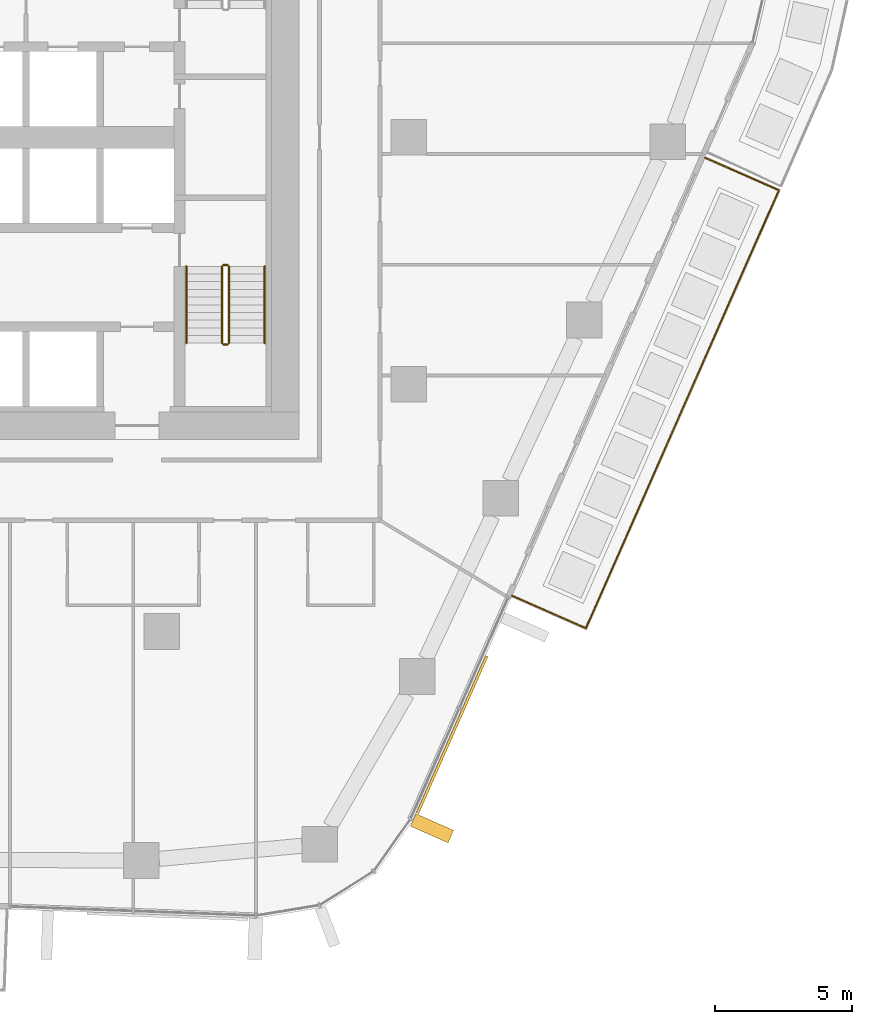
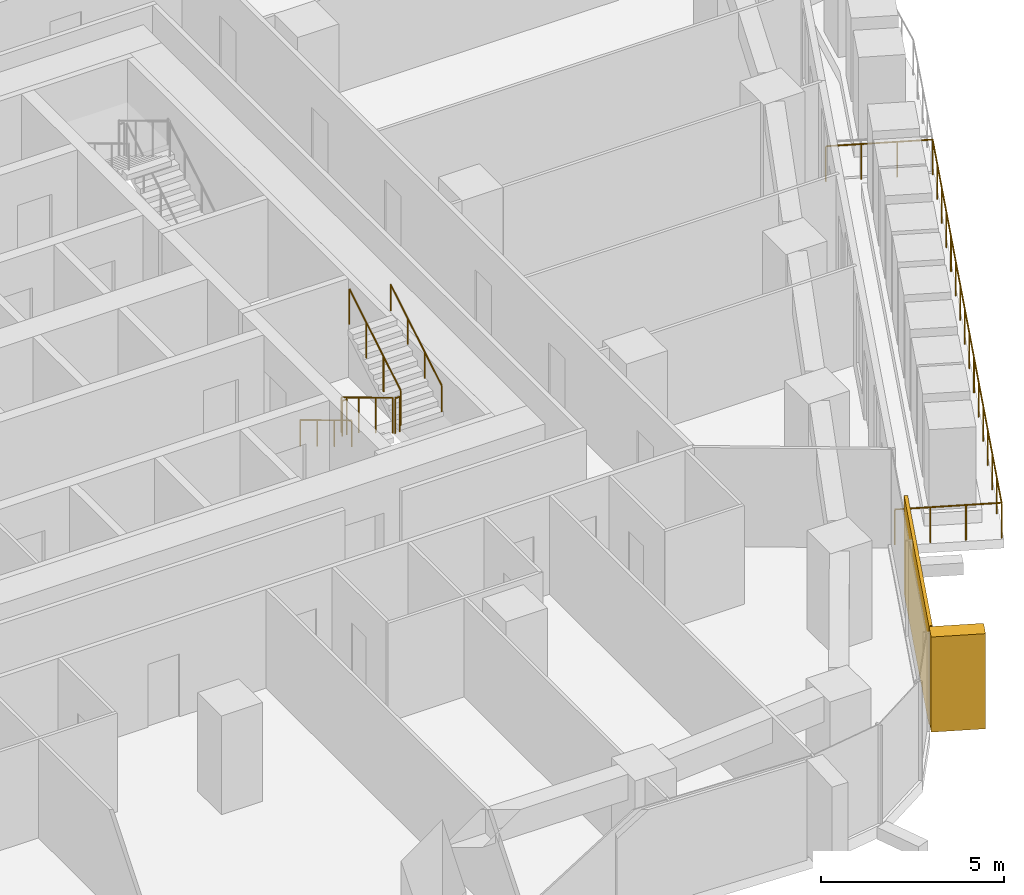
# One storey, part 21 of 24: 7 railings, 2 coverings, 1 element without a shape of its own.
"""IFC4 building model written with IfcOpenShell, lengths in metres."""

import ifcopenshell
import ifcopenshell.guid

model = None  # the IFC model being written
_history = None  # IfcOwnerHistory: only IFC2X3 demands one
_inside = {}  # id of a spatial element -> (the spatial element, [elements in it])
_under = {}  # id of a project, library or spatial element -> (it, [spatial elements below it])
_declared = {}  # id of a project -> (the project, [libraries it declares])
_typed = {}  # id of a type object -> (the type object, [elements of that type])
_made_of = {}  # id of a material, layer set ... -> (it, [elements and type objects made of it])


def new_model(schema):
    """Start an empty IFC model of exactly this schema.

    Asked for "IFC4X3", IfcOpenShell would pick the latest addendum, in which some entities
    have other attributes; the version numbers below select the first issue.
    IFC2X3 requires an IfcOwnerHistory on every rooted entity: one is made here for all.
    """
    global model, _history
    if schema == "IFC4X3":
        model = ifcopenshell.file(schema_version=(4, 3, 0, 0))
    else:
        model = ifcopenshell.file(schema=schema)
    _inside.clear()
    _under.clear()
    _declared.clear()
    _typed.clear()
    _made_of.clear()
    _history = None
    if model.schema == "IFC2X3":
        org = make("IfcOrganization", Name="unknown")
        user = make(
            "IfcPersonAndOrganization",
            ThePerson=make("IfcPerson", FamilyName="unknown"),
            TheOrganization=org,
        )
        app = make(
            "IfcApplication",
            ApplicationDeveloper=org,
            Version="unknown",
            ApplicationFullName="unknown",
            ApplicationIdentifier="unknown",
        )
        _history = make(
            "IfcOwnerHistory",
            OwningUser=user,
            OwningApplication=app,
            ChangeAction="ADDED",
            CreationDate=0,
        )
    return model


def make(cls, **values):
    """One entity of the class cls with the attributes given. An attribute that is None is left unset."""
    return model.create_entity(
        cls, **{name: value for name, value in values.items() if value is not None}
    )


def rooted(cls, **values):
    """An entity with a GlobalId (a new one), such as an element, a storey or a relation."""
    return make(cls, GlobalId=ifcopenshell.guid.new(), OwnerHistory=_history, **values)


def si_unit(unit_type, name, prefix=None):
    """IfcSIUnit, for example si_unit("LENGTHUNIT", "METRE", prefix="MILLI")."""
    return make("IfcSIUnit", UnitType=unit_type, Prefix=prefix, Name=name)


def assignment(units):
    """IfcUnitAssignment: the units of a project."""
    return None if units is None else make("IfcUnitAssignment", Units=units)


def point(xyz):
    """IfcCartesianPoint."""
    return None if xyz is None else make("IfcCartesianPoint", Coordinates=xyz)


def direction(xyz):
    """IfcDirection."""
    return None if xyz is None else make("IfcDirection", DirectionRatios=xyz)


def frame(location, z_axis=None, x_axis=None):
    """IfcAxis2Placement3D, a coordinate frame: its origin and axes. An axis left out is left unset."""
    return make(
        "IfcAxis2Placement3D",
        Location=point(location),
        Axis=direction(z_axis),
        RefDirection=direction(x_axis),
    )


def frame_2d(location, x_axis=None):
    """IfcAxis2Placement2D, a coordinate frame in the plane: its origin and x axis."""
    return make(
        "IfcAxis2Placement2D", Location=point(location), RefDirection=direction(x_axis)
    )


def origin():
    """The frame at (0, 0, 0) with its axes left unset."""
    return frame((0.0, 0.0, 0.0))


def origin_2d():
    """The frame at (0, 0) in the plane with its x axis left unset."""
    return frame_2d((0.0, 0.0))


def place(relative_to, where):
    """IfcLocalPlacement: puts the frame where relative to a parent placement (None: the world)."""
    return make(
        "IfcLocalPlacement", PlacementRelTo=relative_to, RelativePlacement=where
    )


def context(
    kind, dimensions, precision=None, world=None, true_north=None, identifier=None
):
    """IfcGeometricRepresentationContext, for example the 3D "Model" context."""
    return make(
        "IfcGeometricRepresentationContext",
        ContextIdentifier=identifier,
        ContextType=kind,
        CoordinateSpaceDimension=dimensions,
        Precision=precision,
        WorldCoordinateSystem=world,
        TrueNorth=true_north,
    )


def subcontext(parent, identifier, kind, view, scale=None):
    """IfcGeometricRepresentationSubContext, for example "Body" below "Model"."""
    return make(
        "IfcGeometricRepresentationSubContext",
        ContextIdentifier=identifier,
        ContextType=kind,
        ParentContext=parent,
        TargetScale=scale,
        TargetView=view,
    )


def project(units=None, contexts=None):
    """IfcProject with its units and contexts."""
    return rooted(
        "IfcProject",
        Name="project",
        RepresentationContexts=contexts,
        UnitsInContext=assignment(units),
    )


def spatial(cls, under=None, at=None, **own):
    """A site, building, storey or space (cls), placed at a placement, below another one or the project."""
    s = rooted(cls, ObjectPlacement=at, **own)
    if under is not None:
        _under.setdefault(under.id(), (under, []))[1].append(s)
    return s


def profile(cls, at=None, kind="AREA", **sizes):
    """A parametric profile (cls). Its sizes go by their IFC names, for example OverallWidth=200.0."""
    return make(cls, ProfileType=kind, Position=at, **sizes)


def rectangle(**sizes):
    """IfcRectangleProfileDef."""
    return profile("IfcRectangleProfileDef", **sizes)


def circle(**sizes):
    """IfcCircleProfileDef."""
    return profile("IfcCircleProfileDef", **sizes)


def extrude(swept, where, along, depth):
    """IfcExtrudedAreaSolid: the profile swept, set in the frame where, extruded along a direction by depth."""
    return make(
        "IfcExtrudedAreaSolid",
        SweptArea=swept,
        Position=where,
        ExtrudedDirection=direction(along),
        Depth=depth,
    )


def shape(context_of_items, identifier, shape_type, items):
    """IfcShapeRepresentation: the items that make up one representation, for example the "Body"."""
    return make(
        "IfcShapeRepresentation",
        ContextOfItems=context_of_items,
        RepresentationIdentifier=identifier,
        RepresentationType=shape_type,
        Items=items,
    )


def material(Name=None, Category=None):
    """IfcMaterial."""
    return make("IfcMaterial", Name=Name, Category=Category)


def layer(
    of_material, thickness, ventilated=None, Name=None, Category=None, Priority=None
):
    """IfcMaterialLayer: one layer of a wall or slab, of a material (None: an air gap)."""
    return make(
        "IfcMaterialLayer",
        Material=of_material,
        LayerThickness=thickness,
        IsVentilated=ventilated,
        Name=Name,
        Category=Category,
        Priority=Priority,
    )


def layer_set(layers, Name=None):
    """IfcMaterialLayerSet."""
    return make("IfcMaterialLayerSet", MaterialLayers=layers, LayerSetName=Name)


def material_profile(
    of_material, cross_section, Name=None, Category=None, Priority=None
):
    """IfcMaterialProfile: a cross section and its material."""
    return make(
        "IfcMaterialProfile",
        Name=Name,
        Material=of_material,
        Profile=cross_section,
        Priority=Priority,
        Category=Category,
    )


def profile_set(profiles, Name=None, composite=None):
    """IfcMaterialProfileSet."""
    return make(
        "IfcMaterialProfileSet",
        Name=Name,
        MaterialProfiles=profiles,
        CompositeProfile=composite,
    )


def made_of(thing, what):
    """Note that an element or type object is made of a material, layer set ...; save() writes the relation."""
    if what is not None:
        _made_of.setdefault(what.id(), (what, []))[1].append(thing)
    return thing


def type_object(cls, material=None, **own):
    """A type object (cls), such as IfcWallType, which elements share."""
    return made_of(rooted(cls, **own), material)


def element(
    cls,
    number,
    at=None,
    inside=None,
    cuts=None,
    type_object=None,
    material=None,
    context=None,
    identifier="Body",
    shape_type=None,
    held_by="IfcProductDefinitionShape",
    body=None,
    shapes=None,
    **own,
):
    """One element of the class cls, such as IfcWall. Its Tag is "e" and its number.

    at: its placement. inside: the storey or other place that contains it. cuts: it is an
    opening in that element (IfcRelVoidsElement). A single representation is given by context,
    identifier, shape_type and body (its items); several are given by shapes. held_by: the class
    of the entity that holds the representations. save() writes the other relations.
    """
    e = rooted(cls, Tag="e%d" % number, ObjectPlacement=at, **own)
    if body is not None:
        shapes = [shape(context, identifier, shape_type, body)]
    if shapes is not None:
        e.Representation = make(held_by, Representations=shapes)
    if inside is not None:
        _inside.setdefault(inside.id(), (inside, []))[1].append(e)
    if cuts is not None:
        rooted(
            "IfcRelVoidsElement", RelatingBuildingElement=cuts, RelatedOpeningElement=e
        )
    if type_object is not None:
        _typed.setdefault(type_object.id(), (type_object, []))[1].append(e)
    return made_of(e, material)


def aggregate(whole, parts):
    """IfcRelAggregates: a whole, such as a stair, and the parts it consists of."""
    return rooted("IfcRelAggregates", RelatingObject=whole, RelatedObjects=parts)


def save(model, path):
    """Write the relations noted so far, then the file.

    IfcRelAggregates (storeys below a building ...), IfcRelContainedInSpatialStructure (elements
    in a storey), IfcRelDefinesByType, IfcRelAssociatesMaterial and IfcRelDeclares: one each for
    every whole, place, type object, material and project.
    """
    for whole, parts in _under.values():
        aggregate(whole, parts)
    for where, things in _inside.values():
        rooted(
            "IfcRelContainedInSpatialStructure",
            RelatedElements=things,
            RelatingStructure=where,
        )
    for kind, things in _typed.values():
        rooted("IfcRelDefinesByType", RelatedObjects=things, RelatingType=kind)
    for what, things in _made_of.values():
        rooted("IfcRelAssociatesMaterial", RelatedObjects=things, RelatingMaterial=what)
    for by, libraries in _declared.values():
        rooted("IfcRelDeclares", RelatingContext=by, RelatedDefinitions=libraries)
    model.write(path)


model = new_model("IFC4")

# Units and contexts
model_context = context("Model", 3, precision=1e-05, world=origin(), true_north=direction((0.0, 1.0)))
body_context = subcontext(model_context, "Body", "Model", "MODEL_VIEW")
ifc_project = project(units=[si_unit("LENGTHUNIT", "METRE"), si_unit("AREAUNIT", "SQUARE_METRE"), si_unit("VOLUMEUNIT", "CUBIC_METRE"), si_unit("PLANEANGLEUNIT", "RADIAN"), si_unit("MASSUNIT", "GRAM", prefix="KILO")], contexts=[model_context])

# Site, building, storey
site_placement = place(None, origin())
site = spatial("IfcSite", under=ifc_project, at=site_placement, CompositionType="ELEMENT")
building_placement = place(site_placement, origin())
building = spatial("IfcBuilding", under=site, at=building_placement, Name="Dongbaek Canopy Tower", CompositionType="ELEMENT")
storey_placement = place(building_placement, frame((0.0, 0.0, 110.0)))
storey = spatial("IfcBuildingStorey", under=building, at=storey_placement, Name="L23", CompositionType="ELEMENT", Elevation=110.0)

# Railing
ifc_material_1 = material(Name="Stainless steel", Category="steel")
railing_type_1 = type_object("IfcRailingType", Name="Balcony balustrade 1200", PredefinedType="BALUSTRADE", material=ifc_material_1)
railing_1_placement = place(storey_placement, frame((21.762451171875, -16.699462890625, 0.0)))
element("IfcRailing", 1, at=railing_1_placement, inside=storey, type_object=railing_type_1, Name="Balcony guard L23 5", PredefinedType="BALUSTRADE", context=body_context, shape_type="SweptSolid", body=[
    extrude(circle(Radius=0.02392578125, at=origin_2d()), frame((0.0, 0.0, 1.17578125), z_axis=(0.915080991886, -0.403270105871, 0.0), x_axis=(0.403270105871, 0.915080991886, 0.0)), (0.0, 0.0, 1.0), 2.93994140625),
    extrude(circle(Radius=0.02392578125, at=origin_2d()), frame((2.690185546875, -1.185546875, 1.17578125), z_axis=(0.403288921508, 0.915072699729, 0.0), x_axis=(-0.915072699729, 0.403288921508, 0.0)), (0.0, 0.0, 1.0), 17.437255859375),
    extrude(circle(Radius=0.02392578125, at=origin_2d()), frame((9.722412109375, 14.770751953125, 1.17578125), z_axis=(-0.915050344332, 0.403339642656, 0.0), x_axis=(-0.403339642656, -0.915050344332, 0.0)), (0.0, 0.0, 1.0), 2.93994140625),
    extrude(circle(Radius=0.02099609375, at=origin_2d()), origin(), (0.0, 0.0, 1.0), 1.15185546875),
    extrude(circle(Radius=0.02099609375, at=origin_2d()), frame((0.896728515625, -0.395263671875, 0.0)), (0.0, 0.0, 1.0), 1.15185546875),
    extrude(circle(Radius=0.02099609375, at=origin_2d()), frame((1.79345703125, -0.790283203125, 0.0)), (0.0, 0.0, 1.0), 1.15185546875),
    extrude(circle(Radius=0.02099609375, at=origin_2d()), frame((2.690185546875, -1.185546875, 0.0)), (0.0, 0.0, 1.0), 1.15185546875),
    extrude(circle(Radius=0.02099609375, at=origin_2d()), frame((3.158935546875, -0.121826171875, 0.0)), (0.0, 0.0, 1.0), 1.15185546875),
    extrude(circle(Radius=0.02099609375, at=origin_2d()), frame((3.6279296875, 0.94189453125, 0.0)), (0.0, 0.0, 1.0), 1.15185546875),
    extrude(circle(Radius=0.02099609375, at=origin_2d()), frame((4.0966796875, 2.005615234375, 0.0)), (0.0, 0.0, 1.0), 1.15185546875),
    extrude(circle(Radius=0.02099609375, at=origin_2d()), frame((4.5654296875, 3.069580078125, 0.0)), (0.0, 0.0, 1.0), 1.15185546875),
    extrude(circle(Radius=0.02099609375, at=origin_2d()), frame((5.0341796875, 4.13330078125, 0.0)), (0.0, 0.0, 1.0), 1.15185546875),
    extrude(circle(Radius=0.02099609375, at=origin_2d()), frame((5.503173828125, 5.197021484375, 0.0)), (0.0, 0.0, 1.0), 1.15185546875),
    extrude(circle(Radius=0.02099609375, at=origin_2d()), frame((5.971923828125, 6.2607421875, 0.0)), (0.0, 0.0, 1.0), 1.15185546875),
    extrude(circle(Radius=0.02099609375, at=origin_2d()), frame((6.440673828125, 7.324462890625, 0.0)), (0.0, 0.0, 1.0), 1.15185546875),
    extrude(circle(Radius=0.02099609375, at=origin_2d()), frame((6.909423828125, 8.38818359375, 0.0)), (0.0, 0.0, 1.0), 1.15185546875),
    extrude(circle(Radius=0.02099609375, at=origin_2d()), frame((7.37841796875, 9.451904296875, 0.0)), (0.0, 0.0, 1.0), 1.15185546875),
    extrude(circle(Radius=0.02099609375, at=origin_2d()), frame((7.84716796875, 10.515625, 0.0)), (0.0, 0.0, 1.0), 1.15185546875),
    extrude(circle(Radius=0.02099609375, at=origin_2d()), frame((8.31591796875, 11.57958984375, 0.0)), (0.0, 0.0, 1.0), 1.15185546875),
    extrude(circle(Radius=0.02099609375, at=origin_2d()), frame((8.78466796875, 12.643310546875, 0.0)), (0.0, 0.0, 1.0), 1.15185546875),
    extrude(circle(Radius=0.02099609375, at=origin_2d()), frame((9.253662109375, 13.70703125, 0.0)), (0.0, 0.0, 1.0), 1.15185546875),
    extrude(circle(Radius=0.02099609375, at=origin_2d()), frame((9.722412109375, 14.770751953125, 0.0)), (0.0, 0.0, 1.0), 1.15185546875),
    extrude(circle(Radius=0.02099609375, at=origin_2d()), frame((8.82568359375, 15.166015625, 0.0)), (0.0, 0.0, 1.0), 1.15185546875),
    extrude(circle(Radius=0.02099609375, at=origin_2d()), frame((7.928955078125, 15.561279296875, 0.0)), (0.0, 0.0, 1.0), 1.15185546875),
    extrude(circle(Radius=0.02099609375, at=origin_2d()), frame((7.0322265625, 15.95654296875, 0.0)), (0.0, 0.0, 1.0), 1.15185546875),
])

# Curtain wall, coverings
ifc_material_2 = material(Name="Aluminium 6063-T6 pale anodised", Category="aluminium")
ifc_layer_1 = layer(ifc_material_2, 0.199951171875)
ifc_layer_set_1 = layer_set([ifc_layer_1], Name="CW-1 unitised tower curtain wall")
curtain_wall_type = type_object("IfcCurtainWallType", Name="CW-1 unitised tower curtain wall", PredefinedType="NOTDEFINED", material=ifc_layer_set_1)
curtain_wall_placement = place(storey_placement, origin())
curtain_wall = element("IfcCurtainWall", 2, at=curtain_wall_placement, inside=storey, type_object=curtain_wall_type, Name="CW-1 curtain wall F5.1", PredefinedType="NOTDEFINED")
ifc_material_3 = material(Name="Perforated aluminium 6063-T6 pale metal screen", Category="aluminium")
ifc_layer_2 = layer(ifc_material_3, 0.10009765625)
ifc_layer_set_2 = layer_set([ifc_layer_2], Name="Facet screen FS1 100 pale metal")
covering_type_1 = type_object("IfcCoveringType", Name="Facet screen FS1 100 pale metal", PredefinedType="CLADDING", material=ifc_layer_set_2)
covering_1_placement = place(storey_placement, frame((19.58203125, -21.7607421875, 0.0), z_axis=(0.0, 0.0, 1.0), x_axis=(0.403288178578, 0.915073027151, 0.0)))
covering_1 = element("IfcCovering", 3, at=covering_1_placement, type_object=covering_type_1, Name="Facet screen L23 F5", PredefinedType="CLADDING", context=body_context, shape_type="SweptSolid", body=[
    extrude(rectangle(XDim=6.255615234375, YDim=0.10009765625, at=origin_2d()), origin(), (0.0, 0.0, 1.0), 3.300048828125),
])
ifc_material_4 = material(Name="Aluminium 6063-T6 pale metal fin", Category="aluminium")
ifc_material_profile = material_profile(ifc_material_4, rectangle(XDim=1.5, YDim=0.5, at=origin_2d()), Name="Fin FN1 500 x 1500 pale metal")
ifc_profile_set = profile_set([ifc_material_profile], Name="Aluminium 6063-T6 pale metal fin")
covering_type_2 = type_object("IfcCoveringType", Name="Fin FN1 500 x 1500 pale metal", PredefinedType="CLADDING", material=ifc_profile_set)
covering_2_placement = place(storey_placement, frame((18.847900390625, -25.17236328125, 0.1201171875), z_axis=(0.0, 0.0, 1.0), x_axis=(0.915072764797, -0.403288773867, 0.0)))
covering_2 = element("IfcCovering", 4, at=covering_2_placement, type_object=covering_type_2, Name="Fin F5.1.1", PredefinedType="CLADDING", context=body_context, shape_type="SweptSolid", body=[
    extrude(rectangle(XDim=1.5, YDim=0.5, at=origin_2d()), origin(), (0.0, 0.0, 1.0), 3.179931640625),
])
aggregate(curtain_wall, [covering_2, covering_1])

# Railings
ifc_material_5 = material(Name="Stainless steel tube and balusters", Category="steel")
railing_type_2 = type_object("IfcRailingType", Name="Stair guard 1200", PredefinedType="GUARDRAIL", material=ifc_material_5)
railing_2_placement = place(storey_placement, frame((11.199951171875, -4.699951171875, 0.168212890625)))
element("IfcRailing", 5, at=railing_2_placement, inside=storey, type_object=railing_type_2, Name="L23 ST-B stair guard 1", PredefinedType="GUARDRAIL", context=body_context, shape_type="SweptSolid", body=[
    extrude(circle(Radius=0.02392578125, at=origin_2d()), frame((0.0, 0.0, 1.17578125), z_axis=(0.0, -0.857242210791, 0.514913383045), x_axis=(1.0, 0.0, 0.0)), (0.0, 0.0, 1.0), 3.266357421875),
    extrude(circle(Radius=0.02099609375, at=origin_2d()), origin(), (0.0, 0.0, 1.0), 1.15185546875),
    extrude(circle(Radius=0.02099609375, at=origin_2d()), frame((0.0, -0.933349609375, 0.560546875)), (0.0, 0.0, 1.0), 1.15185546875),
    extrude(circle(Radius=0.02099609375, at=origin_2d()), frame((0.0, -1.86669921875, 1.121337890625)), (0.0, 0.0, 1.0), 1.15185546875),
    extrude(circle(Radius=0.02099609375, at=origin_2d()), frame((0.0, -2.800048828125, 1.681884765625)), (0.0, 0.0, 1.0), 1.15185546875),
])
railing_3_placement = place(storey_placement, frame((11.25, -7.550048828125, 1.85009765625)))
element("IfcRailing", 6, at=railing_3_placement, inside=storey, type_object=railing_type_2, Name="L23 ST-B stair guard 2", PredefinedType="GUARDRAIL", context=body_context, shape_type="SweptSolid", body=[
    extrude(circle(Radius=0.02392578125, at=origin_2d()), frame((0.0, 0.0, 1.17578125), z_axis=(1.0, 0.0, 0.0), x_axis=(0.0, 1.0, 0.0)), (0.0, 0.0, 1.0), 0.14990234375),
    extrude(circle(Radius=0.02099609375, at=origin_2d()), origin(), (0.0, 0.0, 1.0), 1.15185546875),
    extrude(circle(Radius=0.02099609375, at=origin_2d()), frame((0.14990234375, 0.0, 0.0)), (0.0, 0.0, 1.0), 1.15185546875),
])
railing_4_placement = place(storey_placement, frame((11.449951171875, -7.5, 2.01806640625)))
element("IfcRailing", 7, at=railing_4_placement, inside=storey, type_object=railing_type_2, Name="L23 ST-B stair guard 3", PredefinedType="GUARDRAIL", context=body_context, shape_type="SweptSolid", body=[
    extrude(circle(Radius=0.02392578125, at=origin_2d()), frame((0.0, 0.0, 1.17578125), z_axis=(0.0, 0.857242210791, 0.514913383045), x_axis=(-1.0, 0.0, 0.0)), (0.0, 0.0, 1.0), 3.266357421875),
    extrude(circle(Radius=0.02099609375, at=origin_2d()), origin(), (0.0, 0.0, 1.0), 1.15185546875),
    extrude(circle(Radius=0.02099609375, at=origin_2d()), frame((0.0, 0.933349609375, 0.560546875)), (0.0, 0.0, 1.0), 1.15185546875),
    extrude(circle(Radius=0.02099609375, at=origin_2d()), frame((0.0, 1.86669921875, 1.121337890625)), (0.0, 0.0, 1.0), 1.15185546875),
    extrude(circle(Radius=0.02099609375, at=origin_2d()), frame((0.0, 2.800048828125, 1.681884765625)), (0.0, 0.0, 1.0), 1.15185546875),
])
railing_5_placement = place(storey_placement, frame((11.25, -4.64990234375, 0.0)))
element("IfcRailing", 8, at=railing_5_placement, inside=storey, type_object=railing_type_2, Name="L23 ST-B stair guard 4", PredefinedType="GUARDRAIL", context=body_context, shape_type="SweptSolid", body=[
    extrude(circle(Radius=0.02392578125, at=origin_2d()), frame((0.0, 0.0, 1.17578125), z_axis=(1.0, 0.0, 0.0), x_axis=(0.0, 1.0, 0.0)), (0.0, 0.0, 1.0), 0.14990234375),
    extrude(circle(Radius=0.02099609375, at=origin_2d()), origin(), (0.0, 0.0, 1.0), 1.15185546875),
    extrude(circle(Radius=0.02099609375, at=origin_2d()), frame((0.14990234375, 0.0, 0.0)), (0.0, 0.0, 1.0), 1.15185546875),
])
ifc_material_6 = material(Name="Stainless steel tube", Category="steel")
railing_type_3 = type_object("IfcRailingType", Name="Stair handrail 900", PredefinedType="HANDRAIL", material=ifc_material_6)
railing_6_placement = place(storey_placement, frame((9.89990234375, -4.699951171875, 0.168212890625)))
element("IfcRailing", 9, at=railing_6_placement, inside=storey, type_object=railing_type_3, Name="L23 ST-B stair handrail 1", PredefinedType="HANDRAIL", context=body_context, shape_type="SweptSolid", body=[
    extrude(circle(Radius=0.02392578125, at=origin_2d()), frame((0.0, 0.0, 0.8759765625), z_axis=(0.0, -0.857242210791, 0.514913383045), x_axis=(1.0, 0.0, 0.0)), (0.0, 0.0, 1.0), 3.266357421875),
    extrude(circle(Radius=0.02099609375, at=origin_2d()), origin(), (0.0, 0.0, 1.0), 0.851806640625),
    extrude(circle(Radius=0.02099609375, at=origin_2d()), frame((0.0, -0.933349609375, 0.560546875)), (0.0, 0.0, 1.0), 0.851806640625),
    extrude(circle(Radius=0.02099609375, at=origin_2d()), frame((0.0, -1.86669921875, 1.121337890625)), (0.0, 0.0, 1.0), 0.851806640625),
    extrude(circle(Radius=0.02099609375, at=origin_2d()), frame((0.0, -2.800048828125, 1.681884765625)), (0.0, 0.0, 1.0), 0.851806640625),
])
railing_7_placement = place(storey_placement, frame((12.75, -7.5, 2.01806640625)))
element("IfcRailing", 10, at=railing_7_placement, inside=storey, type_object=railing_type_3, Name="L23 ST-B stair handrail 2", PredefinedType="HANDRAIL", context=body_context, shape_type="SweptSolid", body=[
    extrude(circle(Radius=0.02392578125, at=origin_2d()), frame((0.0, 0.0, 0.8759765625), z_axis=(0.0, 0.857242210791, 0.514913383045), x_axis=(-1.0, 0.0, 0.0)), (0.0, 0.0, 1.0), 3.266357421875),
    extrude(circle(Radius=0.02099609375, at=origin_2d()), origin(), (0.0, 0.0, 1.0), 0.851806640625),
    extrude(circle(Radius=0.02099609375, at=origin_2d()), frame((0.0, 0.933349609375, 0.560546875)), (0.0, 0.0, 1.0), 0.851806640625),
    extrude(circle(Radius=0.02099609375, at=origin_2d()), frame((0.0, 1.86669921875, 1.121337890625)), (0.0, 0.0, 1.0), 0.851806640625),
    extrude(circle(Radius=0.02099609375, at=origin_2d()), frame((0.0, 2.800048828125, 1.681884765625)), (0.0, 0.0, 1.0), 0.851806640625),
])

save(model, "model.ifc")
